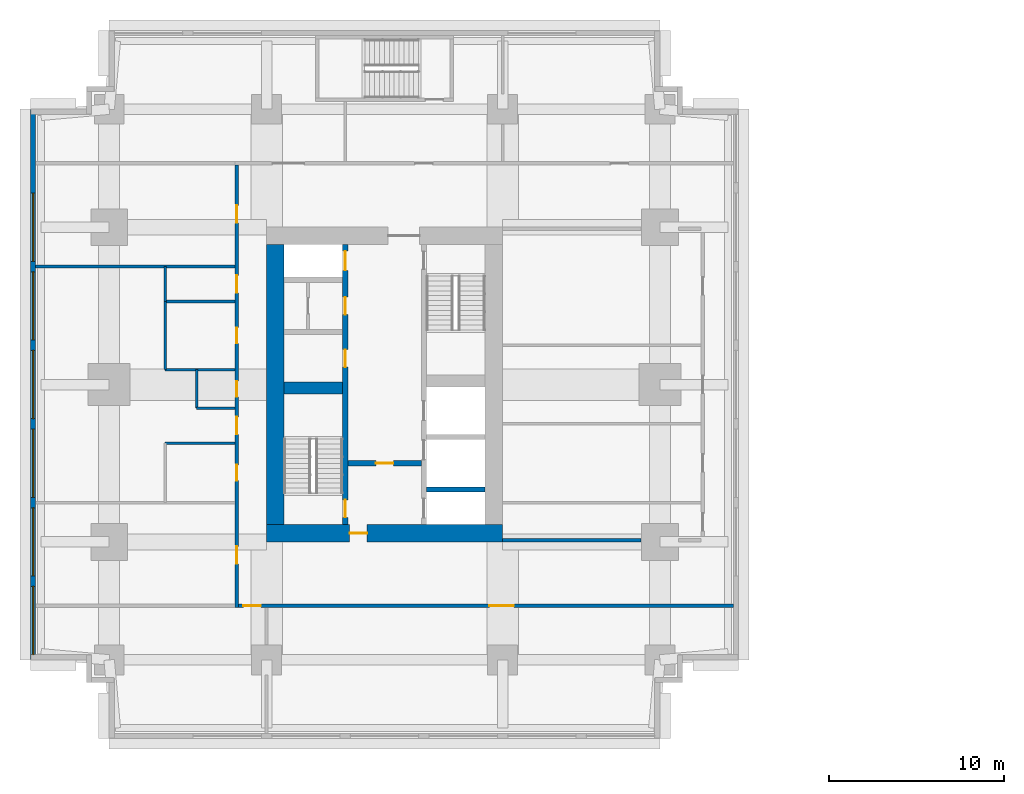
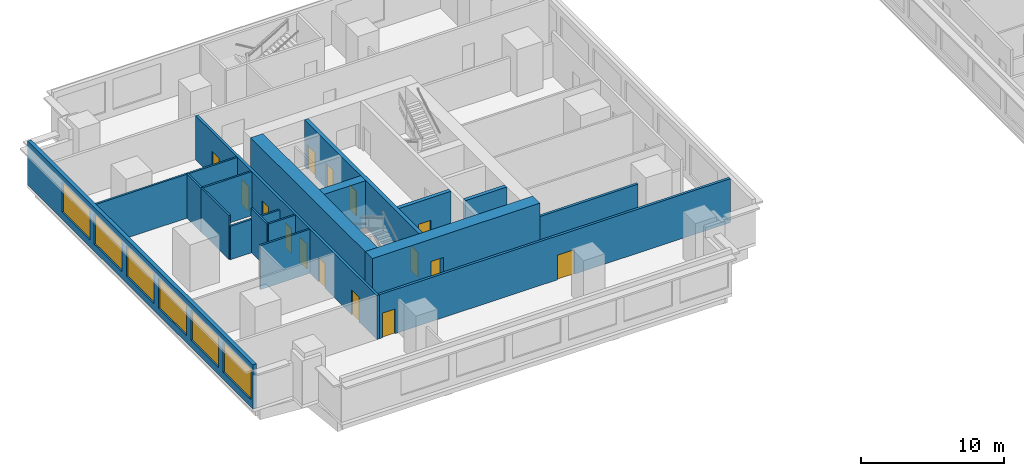
# One storey, part 3 of 10: 18 walls, 15 doors, 6 windows, 21 openings.
"""IFC4 building model written with IfcOpenShell, lengths in metres."""

from ifc_helpers import new_model, si_unit, direction, frame, frame_2d, origin, place, context, subcontext, project, spatial, rectangle, extrude, material, layer, layer_set, type_object, element, fill, save


model = new_model("IFC4")

# Units and contexts
model_context = context("Model", 3, precision=1e-05, world=origin(), true_north=direction((0.0, 1.0)))
body_context = subcontext(model_context, "Body", "Model", "MODEL_VIEW")
ifc_project = project(units=[si_unit("LENGTHUNIT", "METRE"), si_unit("AREAUNIT", "SQUARE_METRE"), si_unit("VOLUMEUNIT", "CUBIC_METRE"), si_unit("PLANEANGLEUNIT", "RADIAN"), si_unit("MASSUNIT", "GRAM", prefix="KILO")], contexts=[model_context])

# Site, building, storey
site_placement = place(None, origin())
site = spatial("IfcSite", under=ifc_project, at=site_placement, CompositionType="ELEMENT")
building_placement = place(site_placement, origin())
building = spatial("IfcBuilding", under=site, at=building_placement, Name="Namib Vertical Campus", CompositionType="ELEMENT")
storey_placement = place(building_placement, frame((0.0, 0.0, 153.0)))
storey = spatial("IfcBuildingStorey", under=building, at=storey_placement, Name="L36", CompositionType="ELEMENT", Elevation=153.0)

# Wall, openings, doors
ifc_material_1 = material(Name="Concrete C60/75", Category="concrete")
ifc_layer_1 = layer(ifc_material_1, 0.300048828125)
ifc_layer_set_1 = layer_set([ifc_layer_1], Name="Concrete C60/75")
wall_type_1 = type_object("IfcWallType", Name="Core inner wall 300", PredefinedType="SHEAR", material=ifc_layer_set_1)
wall_1_placement = place(storey_placement, frame((18.0, 12.25, 0.0), z_axis=(0.0, 0.0, 1.0), x_axis=(0.0, 1.0, 0.0)))
wall_1 = element("IfcWall", 1, at=wall_1_placement, inside=storey, type_object=wall_type_1, Name="Core inner wall A L36 W1", PredefinedType="SHEAR", context=body_context, shape_type="SweptSolid", body=[
    extrude(rectangle(XDim=16.0, YDim=0.300048828125, at=frame_2d((8.0, 0.0))), origin(), (0.0, 0.0, 1.0), 4.0),
])
opening_1_placement = place(wall_1_placement, frame((0.39990234375, 0.0, 0.0)))
opening_1 = element("IfcOpeningElement", 2, at=opening_1_placement, cuts=wall_1, Name="Opening FD1", PredefinedType="OPENING", context=body_context, shape_type="SweptSolid", body=[
    extrude(rectangle(XDim=1.0, YDim=2.10009765625, at=frame_2d((0.5, 1.050048828125))), frame((0.0, 0.159912109375, 0.0), z_axis=(0.0, -1.0, 0.0), x_axis=(1.0, 0.0, 0.0)), (0.0, 0.0, 1.0), 0.320068359375),
])
opening_2_placement = place(wall_1_placement, frame((14.52490234375, 0.0, 0.0)))
opening_2 = element("IfcOpeningElement", 3, at=opening_2_placement, cuts=wall_1, Name="Opening LD1", PredefinedType="OPENING", context=body_context, shape_type="SweptSolid", body=[
    extrude(rectangle(XDim=1.10009765625, YDim=2.10009765625, at=frame_2d((0.550048828125, 1.050048828125))), frame((0.0, 0.159912109375, 0.0), z_axis=(0.0, -1.0, 0.0), x_axis=(1.0, 0.0, 0.0)), (0.0, 0.0, 1.0), 0.320068359375),
])
opening_3_placement = place(wall_1_placement, frame((9.0, 0.0, 0.0)))
opening_3 = element("IfcOpeningElement", 4, at=opening_3_placement, cuts=wall_1, Name="Opening D1", PredefinedType="OPENING", context=body_context, shape_type="SweptSolid", body=[
    extrude(rectangle(XDim=1.0, YDim=2.10009765625, at=frame_2d((0.5, 1.050048828125))), frame((0.0, 0.159912109375, 0.0), z_axis=(0.0, -1.0, 0.0), x_axis=(1.0, 0.0, 0.0)), (0.0, 0.0, 1.0), 0.320068359375),
])
opening_4_placement = place(wall_1_placement, frame((12.0, 0.0, 0.0)))
opening_4 = element("IfcOpeningElement", 5, at=opening_4_placement, cuts=wall_1, Name="Opening D1", PredefinedType="OPENING", context=body_context, shape_type="SweptSolid", body=[
    extrude(rectangle(XDim=1.0, YDim=2.10009765625, at=frame_2d((0.5, 1.050048828125))), frame((0.0, 0.159912109375, 0.0), z_axis=(0.0, -1.0, 0.0), x_axis=(1.0, 0.0, 0.0)), (0.0, 0.0, 1.0), 0.320068359375),
])
ifc_material_2 = material(Name="Timber door leaf", Category="wood")
door_type_1 = type_object("IfcDoorType", Name="Door single 1000x2100", OperationType="SINGLE_SWING_LEFT", PredefinedType="DOOR", material=ifc_material_2)
door_1_placement = place(opening_3_placement, origin())
door_1 = element("IfcDoor", 6, at=door_1_placement, inside=storey, type_object=door_type_1, Name="Door D1 Comms room A L36 P1", OperationType="SINGLE_SWING_LEFT", OverallHeight=2.10009765625, OverallWidth=1.0, PredefinedType="DOOR", context=body_context, shape_type="SweptSolid", body=[
    extrude(rectangle(XDim=1.0, YDim=2.10009765625, at=frame_2d((0.5, 1.050048828125))), frame((0.0, 0.02490234375, 0.0), z_axis=(0.0, -1.0, 0.0), x_axis=(1.0, 0.0, 0.0)), (0.0, 0.0, 1.0), 0.050048828125),
])
fill(opening_3, door_1)
door_2_placement = place(opening_4_placement, origin())
door_2 = element("IfcDoor", 7, at=door_2_placement, inside=storey, type_object=door_type_1, Name="Door D1 Store A L36 P2", OperationType="SINGLE_SWING_LEFT", OverallHeight=2.10009765625, OverallWidth=1.0, PredefinedType="DOOR", context=body_context, shape_type="SweptSolid", body=[
    extrude(rectangle(XDim=1.0, YDim=2.10009765625, at=frame_2d((0.5, 1.050048828125))), frame((0.0, 0.02490234375, 0.0), z_axis=(0.0, -1.0, 0.0), x_axis=(1.0, 0.0, 0.0)), (0.0, 0.0, 1.0), 0.050048828125),
])
fill(opening_4, door_2)
ifc_material_3 = material(Name="Steel fire door", Category="steel")
door_type_2 = type_object("IfcDoorType", Name="Fire door 1000x2100", OperationType="SINGLE_SWING_RIGHT", PredefinedType="DOOR", material=ifc_material_3)
door_3_placement = place(opening_1_placement, origin())
door_3 = element("IfcDoor", 8, at=door_3_placement, inside=storey, type_object=door_type_2, Name="Stair door FD1 A L36 S1", OperationType="SINGLE_SWING_LEFT", OverallHeight=2.10009765625, OverallWidth=1.0, PredefinedType="DOOR", context=body_context, shape_type="SweptSolid", body=[
    extrude(rectangle(XDim=1.0, YDim=2.10009765625, at=frame_2d((0.5, 1.050048828125))), frame((0.0, 0.02490234375, 0.0), z_axis=(0.0, -1.0, 0.0), x_axis=(1.0, 0.0, 0.0)), (0.0, 0.0, 1.0), 0.050048828125),
])
fill(opening_1, door_3)
ifc_material_4 = material(Name="Stainless steel lift door", Category="steel")
door_type_3 = type_object("IfcDoorType", Name="Lift landing door 1100x2100", OperationType="DOUBLE_DOOR_SLIDING", PredefinedType="DOOR", material=ifc_material_4)
door_4_placement = place(opening_2_placement, origin())
door_4 = element("IfcDoor", 9, at=door_4_placement, inside=storey, type_object=door_type_3, Name="Lift landing door LD1 A-P3 L36", OperationType="DOUBLE_DOOR_SLIDING", OverallHeight=2.10009765625, OverallWidth=1.10009765625, PredefinedType="DOOR", context=body_context, shape_type="SweptSolid", body=[
    extrude(rectangle(XDim=1.10009765625, YDim=2.10009765625, at=frame_2d((0.550048828125, 1.050048828125))), frame((0.0, 0.02490234375, 0.0), z_axis=(0.0, -1.0, 0.0), x_axis=(1.0, 0.0, 0.0)), (0.0, 0.0, 1.0), 0.050048828125),
])
fill(opening_2, door_4)

# Wall, opening, door
wall_2_placement = place(storey_placement, frame((18.14990234375, 15.75, 0.0), z_axis=(0.0, 0.0, 1.0), x_axis=(1.0, 0.0, 0.0)))
wall_2 = element("IfcWall", 10, at=wall_2_placement, inside=storey, type_object=wall_type_1, Name="Core inner wall A L36 W4", PredefinedType="SHEAR", context=body_context, shape_type="SweptSolid", body=[
    extrude(rectangle(XDim=4.2001953125, YDim=0.300048828125, at=frame_2d((2.10009765625, 0.0))), origin(), (0.0, 0.0, 1.0), 4.0),
])
opening_5_placement = place(wall_2_placement, frame((1.60009765625, 0.0, 0.0)))
opening_5 = element("IfcOpeningElement", 11, at=opening_5_placement, cuts=wall_2, Name="Opening FD5", PredefinedType="OPENING", context=body_context, shape_type="SweptSolid", body=[
    extrude(rectangle(XDim=1.0, YDim=2.10009765625, at=frame_2d((0.5, 1.050048828125))), frame((0.0, 0.159912109375, 0.0), z_axis=(0.0, -1.0, 0.0), x_axis=(1.0, 0.0, 0.0)), (0.0, 0.0, 1.0), 0.320068359375),
])
ifc_material_5 = material(Name="Steel fire door", Category="steel")
door_type_4 = type_object("IfcDoorType", Name="Fire door 1000x2100 120 min", OperationType="SINGLE_SWING_RIGHT", PredefinedType="DOOR", material=ifc_material_5)
door_5_placement = place(opening_5_placement, frame((1.0, 0.0, 0.0), z_axis=(0.0, 0.0, 1.0), x_axis=(-1.0, 0.0, 0.0)))
door_5 = element("IfcDoor", 12, at=door_5_placement, inside=storey, type_object=door_type_4, Name="Lobby door FD5 A L36", OperationType="SINGLE_SWING_RIGHT", OverallHeight=2.10009765625, OverallWidth=1.0, PredefinedType="DOOR", context=body_context, shape_type="SweptSolid", body=[
    extrude(rectangle(XDim=1.0, YDim=2.10009765625, at=frame_2d((0.5, 1.050048828125))), frame((0.0, 0.02490234375, 0.0), z_axis=(0.0, -1.0, 0.0), x_axis=(1.0, 0.0, 0.0)), (0.0, 0.0, 1.0), 0.050048828125),
])
fill(opening_5, door_5)

# Walls
wall_3_placement = place(storey_placement, frame((22.64990234375, 14.25, 0.0), z_axis=(0.0, 0.0, 1.0), x_axis=(1.0, 0.0, 0.0)))
element("IfcWall", 13, at=wall_3_placement, inside=storey, type_object=wall_type_1, Name="Core inner wall A L36 W5", PredefinedType="SHEAR", context=body_context, shape_type="SweptSolid", body=[
    extrude(rectangle(XDim=3.35009765625, YDim=0.300048828125, at=frame_2d((1.675048828125, 0.0))), origin(), (0.0, 0.0, 1.0), 4.0),
])
ifc_material_6 = material(Name="Concrete C60/75", Category="concrete")
ifc_layer_2 = layer(ifc_material_6, 0.699951171875)
ifc_layer_set_2 = layer_set([ifc_layer_2], Name="Concrete C60/75")
wall_type_2 = type_object("IfcWallType", Name="Core shear wall 700", PredefinedType="SHEAR", material=ifc_layer_set_2)
wall_4_placement = place(storey_placement, frame((14.5, 20.050048828125, 0.0), z_axis=(0.0, 0.0, 1.0), x_axis=(1.0, 0.0, 0.0)))
element("IfcWall", 14, at=wall_4_placement, inside=storey, type_object=wall_type_2, Name="Core shear wall A L36 W3", PredefinedType="SHEAR", context=body_context, shape_type="SweptSolid", body=[
    extrude(rectangle(XDim=3.35009765625, YDim=0.699951171875, at=frame_2d((1.675048828125, 0.0))), origin(), (0.0, 0.0, 1.0), 4.0),
])

# Wall, opening, door
ifc_material_7 = material(Name="Concrete C60/75", Category="concrete")
ifc_layer_3 = layer(ifc_material_7, 1.0)
ifc_layer_set_3 = layer_set([ifc_layer_3], Name="Concrete C60/75")
wall_type_3 = type_object("IfcWallType", Name="Core wall 1000", PredefinedType="SHEAR", material=ifc_layer_set_3)
wall_5_placement = place(storey_placement, frame((13.5, 11.75, 0.0), z_axis=(0.0, 0.0, 1.0), x_axis=(1.0, 0.0, 0.0)))
wall_5 = element("IfcWall", 15, at=wall_5_placement, inside=storey, type_object=wall_type_3, Name="Core wall A L36 1", PredefinedType="SHEAR", context=body_context, shape_type="SweptSolid", body=[
    extrude(rectangle(XDim=13.5, YDim=1.0, at=frame_2d((6.75, 0.0))), origin(), (0.0, 0.0, 1.0), 4.0),
])
opening_6_placement = place(wall_5_placement, frame((4.75, 0.0, 0.0)))
opening_6 = element("IfcOpeningElement", 16, at=opening_6_placement, cuts=wall_5, Name="Opening FD5", PredefinedType="OPENING", context=body_context, shape_type="SweptSolid", body=[
    extrude(rectangle(XDim=1.0, YDim=2.10009765625, at=frame_2d((0.5, 1.050048828125))), frame((0.0, 0.510009765625, 0.0), z_axis=(0.0, -1.0, 0.0), x_axis=(1.0, 0.0, 0.0)), (0.0, 0.0, 1.0), 1.02001953125),
])
door_6_placement = place(opening_6_placement, origin())
door_6 = element("IfcDoor", 17, at=door_6_placement, inside=storey, type_object=door_type_4, Name="Firefighting lobby door FD5 A L36", OperationType="SINGLE_SWING_LEFT", OverallHeight=2.10009765625, OverallWidth=1.0, PredefinedType="DOOR", context=body_context, shape_type="SweptSolid", body=[
    extrude(rectangle(XDim=1.0, YDim=2.10009765625, at=frame_2d((0.5, 1.050048828125))), frame((0.0, 0.02490234375, 0.0), z_axis=(0.0, -1.0, 0.0), x_axis=(1.0, 0.0, 0.0)), (0.0, 0.0, 1.0), 0.050048828125),
])
fill(opening_6, door_6)

# Wall
wall_6_placement = place(storey_placement, frame((14.0, 28.25, 0.0), z_axis=(0.0, 0.0, 1.0), x_axis=(0.0, -1.0, 0.0)))
element("IfcWall", 18, at=wall_6_placement, inside=storey, type_object=wall_type_3, Name="Core wall A L36 4", PredefinedType="SHEAR", context=body_context, shape_type="SweptSolid", body=[
    extrude(rectangle(XDim=16.0, YDim=1.0, at=frame_2d((8.0, 0.0))), origin(), (0.0, 0.0, 1.0), 4.0),
])

# Wall, openings, doors
ifc_material_8 = material(Name="Concrete masonry", Category="masonry")
ifc_layer_4 = layer(ifc_material_8, 0.199951171875)
ifc_layer_set_4 = layer_set([ifc_layer_4], Name="Corridor wall 200")
wall_type_4 = type_object("IfcWallType", Name="Corridor wall 200", PredefinedType="SOLIDWALL", material=ifc_layer_set_4)
wall_7_placement = place(storey_placement, frame((11.89990234375, 7.60009765625, 0.0), z_axis=(0.0, 0.0, 1.0), x_axis=(1.0, 0.0, 0.0)))
wall_7 = element("IfcWall", 19, at=wall_7_placement, inside=storey, type_object=wall_type_4, Name="Corridor wall A L36 CS", PredefinedType="SOLIDWALL", context=body_context, shape_type="SweptSolid", body=[
    extrude(rectangle(XDim=28.300048828125, YDim=0.199951171875, at=frame_2d((14.14990234375, 0.0))), origin(), (0.0, 0.0, 1.0), 3.75),
])
opening_7_placement = place(wall_7_placement, frame((0.27490234375, 0.0, 0.0)))
opening_7 = element("IfcOpeningElement", 20, at=opening_7_placement, cuts=wall_7, Name="Opening CD1", PredefinedType="OPENING", context=body_context, shape_type="SweptSolid", body=[
    extrude(rectangle(XDim=1.0, YDim=2.10009765625, at=frame_2d((0.5, 1.050048828125))), frame((0.0, 0.10986328125, 0.0), z_axis=(0.0, -1.0, 0.0), x_axis=(1.0, 0.0, 0.0)), (0.0, 0.0, 1.0), 0.219970703125),
])
opening_8_placement = place(wall_7_placement, frame((14.35009765625, 0.0, 0.0)))
opening_8 = element("IfcOpeningElement", 21, at=opening_8_placement, cuts=wall_7, Name="Opening LB1", PredefinedType="OPENING", context=body_context, shape_type="SweptSolid", body=[
    extrude(rectangle(XDim=1.39990234375, YDim=2.10009765625, at=frame_2d((0.699951171875, 1.050048828125))), frame((0.0, 0.10986328125, 0.0), z_axis=(0.0, -1.0, 0.0), x_axis=(1.0, 0.0, 0.0)), (0.0, 0.0, 1.0), 0.219970703125),
])
ifc_material_9 = material(Name="Timber fire door leaf", Category="wood")
door_type_5 = type_object("IfcDoorType", Name="Corridor door 1000x2100 20 min", OperationType="SINGLE_SWING_LEFT", PredefinedType="DOOR", material=ifc_material_9)
door_7_placement = place(opening_7_placement, frame((1.0, 0.0, 0.0), z_axis=(0.0, 0.0, 1.0), x_axis=(-1.0, 0.0, 0.0)))
door_7 = element("IfcDoor", 22, at=door_7_placement, inside=storey, type_object=door_type_5, Name="Door CD1 A36-01", OperationType="SINGLE_SWING_LEFT", OverallHeight=2.10009765625, OverallWidth=1.0, PredefinedType="DOOR", context=body_context, shape_type="SweptSolid", body=[
    extrude(rectangle(XDim=1.0, YDim=2.10009765625, at=frame_2d((0.5, 1.050048828125))), frame((0.0, 0.02490234375, 0.0), z_axis=(0.0, -1.0, 0.0), x_axis=(1.0, 0.0, 0.0)), (0.0, 0.0, 1.0), 0.050048828125),
])
fill(opening_7, door_7)
ifc_material_10 = material(Name="Timber fire door leaf", Category="wood")
door_type_6 = type_object("IfcDoorType", Name="Laboratory door 1400x2100 leaf and a half", OperationType="DOUBLE_DOOR_SINGLE_SWING", PredefinedType="DOOR", material=ifc_material_10)
door_8_placement = place(opening_8_placement, frame((1.39990234375, 0.0, 0.0), z_axis=(0.0, 0.0, 1.0), x_axis=(-1.0, 0.0, 0.0)))
door_8 = element("IfcDoor", 23, at=door_8_placement, inside=storey, type_object=door_type_6, Name="Door LB1 A36-02", OperationType="DOUBLE_DOOR_SINGLE_SWING", OverallHeight=2.10009765625, OverallWidth=1.39990234375, PredefinedType="DOOR", context=body_context, shape_type="SweptSolid", body=[
    extrude(rectangle(XDim=1.39990234375, YDim=2.10009765625, at=frame_2d((0.699951171875, 1.050048828125))), frame((0.0, 0.02490234375, 0.0), z_axis=(0.0, -1.0, 0.0), x_axis=(1.0, 0.0, 0.0)), (0.0, 0.0, 1.0), 0.050048828125),
])
fill(opening_8, door_8)

wall_8_placement = place(storey_placement, frame((11.800048828125, 32.800048828125, 0.0), z_axis=(0.0, 0.0, 1.0), x_axis=(0.0, -1.0, 0.0)))
wall_8 = element("IfcWall", 24, at=wall_8_placement, inside=storey, type_object=wall_type_4, Name="Corridor wall A L36 CW", PredefinedType="SOLIDWALL", context=body_context, shape_type="SweptSolid", body=[
    extrude(rectangle(XDim=25.300048828125, YDim=0.199951171875, at=frame_2d((12.64990234375, 0.0))), origin(), (0.0, 0.0, 1.0), 3.75),
])
opening_9_placement = place(wall_8_placement, frame((21.800048828125, 0.0, 0.0)))
opening_9 = element("IfcOpeningElement", 25, at=opening_9_placement, cuts=wall_8, Name="Opening CD1", PredefinedType="OPENING", context=body_context, shape_type="SweptSolid", body=[
    extrude(rectangle(XDim=1.0, YDim=2.10009765625, at=frame_2d((0.5, 1.050048828125))), frame((0.0, 0.10986328125, 0.0), z_axis=(0.0, -1.0, 0.0), x_axis=(1.0, 0.0, 0.0)), (0.0, 0.0, 1.0), 0.219970703125),
])
opening_10_placement = place(wall_8_placement, frame((17.14990234375, 0.0, 0.0)))
opening_10 = element("IfcOpeningElement", 26, at=opening_10_placement, cuts=wall_8, Name="Opening CD3", PredefinedType="OPENING", context=body_context, shape_type="SweptSolid", body=[
    extrude(rectangle(XDim=0.89990234375, YDim=2.10009765625, at=frame_2d((0.449951171875, 1.050048828125))), frame((0.0, 0.10986328125, 0.0), z_axis=(0.0, -1.0, 0.0), x_axis=(1.0, 0.0, 0.0)), (0.0, 0.0, 1.0), 0.219970703125),
])
opening_11_placement = place(wall_8_placement, frame((12.35009765625, 0.0, 0.0)))
opening_11 = element("IfcOpeningElement", 27, at=opening_11_placement, cuts=wall_8, Name="Opening CD3", PredefinedType="OPENING", context=body_context, shape_type="SweptSolid", body=[
    extrude(rectangle(XDim=0.89990234375, YDim=2.10009765625, at=frame_2d((0.449951171875, 1.050048828125))), frame((0.0, 0.10986328125, 0.0), z_axis=(0.0, -1.0, 0.0), x_axis=(1.0, 0.0, 0.0)), (0.0, 0.0, 1.0), 0.219970703125),
])
opening_12_placement = place(wall_8_placement, frame((9.300048828125, 0.0, 0.0)))
opening_12 = element("IfcOpeningElement", 28, at=opening_12_placement, cuts=wall_8, Name="Opening CD3", PredefinedType="OPENING", context=body_context, shape_type="SweptSolid", body=[
    extrude(rectangle(XDim=0.89990234375, YDim=2.10009765625, at=frame_2d((0.449951171875, 1.050048828125))), frame((0.0, 0.10986328125, 0.0), z_axis=(0.0, -1.0, 0.0), x_axis=(1.0, 0.0, 0.0)), (0.0, 0.0, 1.0), 0.219970703125),
])
opening_13_placement = place(wall_8_placement, frame((6.300048828125, 0.0, 0.0)))
opening_13 = element("IfcOpeningElement", 29, at=opening_13_placement, cuts=wall_8, Name="Opening CD1", PredefinedType="OPENING", context=body_context, shape_type="SweptSolid", body=[
    extrude(rectangle(XDim=1.0, YDim=2.10009765625, at=frame_2d((0.5, 1.050048828125))), frame((0.0, 0.10986328125, 0.0), z_axis=(0.0, -1.0, 0.0), x_axis=(1.0, 0.0, 0.0)), (0.0, 0.0, 1.0), 0.219970703125),
])
opening_14_placement = place(wall_8_placement, frame((14.39990234375, 0.0, 0.0)))
opening_14 = element("IfcOpeningElement", 30, at=opening_14_placement, cuts=wall_8, Name="Opening CD1", PredefinedType="OPENING", context=body_context, shape_type="SweptSolid", body=[
    extrude(rectangle(XDim=1.0, YDim=2.10009765625, at=frame_2d((0.5, 1.050048828125))), frame((0.0, 0.10986328125, 0.0), z_axis=(0.0, -1.0, 0.0), x_axis=(1.0, 0.0, 0.0)), (0.0, 0.0, 1.0), 0.219970703125),
])
opening_15_placement = place(wall_8_placement, frame((2.300048828125, 0.0, 0.0)))
opening_15 = element("IfcOpeningElement", 31, at=opening_15_placement, cuts=wall_8, Name="Opening CD1", PredefinedType="OPENING", context=body_context, shape_type="SweptSolid", body=[
    extrude(rectangle(XDim=1.0, YDim=2.10009765625, at=frame_2d((0.5, 1.050048828125))), frame((0.0, 0.10986328125, 0.0), z_axis=(0.0, -1.0, 0.0), x_axis=(1.0, 0.0, 0.0)), (0.0, 0.0, 1.0), 0.219970703125),
])
door_9_placement = place(opening_9_placement, frame((1.0, 0.0, 0.0), z_axis=(0.0, 0.0, 1.0), x_axis=(-1.0, 0.0, 0.0)))
door_9 = element("IfcDoor", 32, at=door_9_placement, inside=storey, type_object=door_type_5, Name="Door CD1 A36-10", OperationType="SINGLE_SWING_RIGHT", OverallHeight=2.10009765625, OverallWidth=1.0, PredefinedType="DOOR", context=body_context, shape_type="SweptSolid", body=[
    extrude(rectangle(XDim=1.0, YDim=2.10009765625, at=frame_2d((0.5, 1.050048828125))), frame((0.0, 0.02490234375, 0.0), z_axis=(0.0, -1.0, 0.0), x_axis=(1.0, 0.0, 0.0)), (0.0, 0.0, 1.0), 0.050048828125),
])
fill(opening_9, door_9)
door_10_placement = place(opening_13_placement, frame((1.0, 0.0, 0.0), z_axis=(0.0, 0.0, 1.0), x_axis=(-1.0, 0.0, 0.0)))
door_10 = element("IfcDoor", 33, at=door_10_placement, inside=storey, type_object=door_type_5, Name="Door CD1 A36-14", OperationType="SINGLE_SWING_RIGHT", OverallHeight=2.10009765625, OverallWidth=1.0, PredefinedType="DOOR", context=body_context, shape_type="SweptSolid", body=[
    extrude(rectangle(XDim=1.0, YDim=2.10009765625, at=frame_2d((0.5, 1.050048828125))), frame((0.0, 0.02490234375, 0.0), z_axis=(0.0, -1.0, 0.0), x_axis=(1.0, 0.0, 0.0)), (0.0, 0.0, 1.0), 0.050048828125),
])
fill(opening_13, door_10)
door_11_placement = place(opening_14_placement, frame((1.0, 0.0, 0.0), z_axis=(0.0, 0.0, 1.0), x_axis=(-1.0, 0.0, 0.0)))
door_11 = element("IfcDoor", 34, at=door_11_placement, inside=storey, type_object=door_type_5, Name="Door CD1 A36-15", OperationType="SINGLE_SWING_RIGHT", OverallHeight=2.10009765625, OverallWidth=1.0, PredefinedType="DOOR", context=body_context, shape_type="SweptSolid", body=[
    extrude(rectangle(XDim=1.0, YDim=2.10009765625, at=frame_2d((0.5, 1.050048828125))), frame((0.0, 0.02490234375, 0.0), z_axis=(0.0, -1.0, 0.0), x_axis=(1.0, 0.0, 0.0)), (0.0, 0.0, 1.0), 0.050048828125),
])
fill(opening_14, door_11)
door_12_placement = place(opening_15_placement, frame((1.0, 0.0, 0.0), z_axis=(0.0, 0.0, 1.0), x_axis=(-1.0, 0.0, 0.0)))
door_12 = element("IfcDoor", 35, at=door_12_placement, inside=storey, type_object=door_type_5, Name="Door CD1 A36-16", OperationType="SINGLE_SWING_RIGHT", OverallHeight=2.10009765625, OverallWidth=1.0, PredefinedType="DOOR", context=body_context, shape_type="SweptSolid", body=[
    extrude(rectangle(XDim=1.0, YDim=2.10009765625, at=frame_2d((0.5, 1.050048828125))), frame((0.0, 0.02490234375, 0.0), z_axis=(0.0, -1.0, 0.0), x_axis=(1.0, 0.0, 0.0)), (0.0, 0.0, 1.0), 0.050048828125),
])
fill(opening_15, door_12)
ifc_material_11 = material(Name="Timber fire door leaf", Category="wood")
door_type_7 = type_object("IfcDoorType", Name="Corridor toilet door 900x2100 20 min", OperationType="SINGLE_SWING_LEFT", PredefinedType="DOOR", material=ifc_material_11)
door_13_placement = place(opening_10_placement, frame((0.89990234375, 0.0, 0.0), z_axis=(0.0, 0.0, 1.0), x_axis=(-1.0, 0.0, 0.0)))
door_13 = element("IfcDoor", 36, at=door_13_placement, inside=storey, type_object=door_type_7, Name="Door CD3 A36-11", OperationType="SINGLE_SWING_RIGHT", OverallHeight=2.10009765625, OverallWidth=0.89990234375, PredefinedType="DOOR", context=body_context, shape_type="SweptSolid", body=[
    extrude(rectangle(XDim=0.89990234375, YDim=2.10009765625, at=frame_2d((0.449951171875, 1.050048828125))), frame((0.0, 0.02490234375, 0.0), z_axis=(0.0, -1.0, 0.0), x_axis=(1.0, 0.0, 0.0)), (0.0, 0.0, 1.0), 0.050048828125),
])
fill(opening_10, door_13)
door_14_placement = place(opening_11_placement, frame((0.89990234375, 0.0, 0.0), z_axis=(0.0, 0.0, 1.0), x_axis=(-1.0, 0.0, 0.0)))
door_14 = element("IfcDoor", 37, at=door_14_placement, inside=storey, type_object=door_type_7, Name="Door CD3 A36-12", OperationType="SINGLE_SWING_RIGHT", OverallHeight=2.10009765625, OverallWidth=0.89990234375, PredefinedType="DOOR", context=body_context, shape_type="SweptSolid", body=[
    extrude(rectangle(XDim=0.89990234375, YDim=2.10009765625, at=frame_2d((0.449951171875, 1.050048828125))), frame((0.0, 0.02490234375, 0.0), z_axis=(0.0, -1.0, 0.0), x_axis=(1.0, 0.0, 0.0)), (0.0, 0.0, 1.0), 0.050048828125),
])
fill(opening_11, door_14)
door_15_placement = place(opening_12_placement, frame((0.89990234375, 0.0, 0.0), z_axis=(0.0, 0.0, 1.0), x_axis=(-1.0, 0.0, 0.0)))
door_15 = element("IfcDoor", 38, at=door_15_placement, inside=storey, type_object=door_type_7, Name="Door CD3 A36-13", OperationType="SINGLE_SWING_RIGHT", OverallHeight=2.10009765625, OverallWidth=0.89990234375, PredefinedType="DOOR", context=body_context, shape_type="SweptSolid", body=[
    extrude(rectangle(XDim=0.89990234375, YDim=2.10009765625, at=frame_2d((0.449951171875, 1.050048828125))), frame((0.0, 0.02490234375, 0.0), z_axis=(0.0, -1.0, 0.0), x_axis=(1.0, 0.0, 0.0)), (0.0, 0.0, 1.0), 0.050048828125),
])
fill(opening_12, door_15)

# Wall
wall_9_placement = place(storey_placement, frame((27.0, 11.35009765625, 0.0), z_axis=(0.0, 0.0, 1.0), x_axis=(1.0, 0.0, 0.0)))
element("IfcWall", 39, at=wall_9_placement, inside=storey, type_object=wall_type_4, Name="Corridor wall A L36 GS", PredefinedType="SOLIDWALL", context=body_context, shape_type="SweptSolid", body=[
    extrude(rectangle(XDim=7.929931640625, YDim=0.199951171875, at=frame_2d((3.96484375, 0.0))), origin(), (0.0, 0.0, 1.0), 2.85009765625),
])

# Wall, openings, windows
ifc_material_12 = material(Name="Concrete C40/50", Category="concrete")
ifc_layer_5 = layer(ifc_material_12, 0.300048828125)
ifc_layer_set_5 = layer_set([ifc_layer_5], Name="Concrete C40/50")
wall_type_5 = type_object("IfcWallType", Name="External wall 300 board-marked concrete", PredefinedType="STANDARD", material=ifc_layer_set_5)
wall_10_placement = place(storey_placement, frame((0.14990234375, 35.97998046875, 0.0), z_axis=(0.0, 0.0, 1.0), x_axis=(0.0, -1.0, 0.0)))
wall_10 = element("IfcWall", 40, at=wall_10_placement, inside=storey, type_object=wall_type_5, Name="External wall L36 F16", PredefinedType="STANDARD", context=body_context, shape_type="SweptSolid", body=[
    extrude(rectangle(XDim=31.4599609375, YDim=0.300048828125, at=frame_2d((15.72998046875, 0.0))), origin(), (0.0, 0.0, 1.0), 3.75),
])
opening_16_placement = place(wall_10_placement, frame((27.280029296875, 0.0, 0.60009765625)))
opening_16 = element("IfcOpeningElement", 41, at=opening_16_placement, cuts=wall_10, Name="Opening W2", PredefinedType="OPENING", context=body_context, shape_type="SweptSolid", body=[
    extrude(rectangle(XDim=3.89990234375, YDim=2.60009765625, at=frame_2d((1.949951171875, 1.300048828125))), frame((0.0, 0.159912109375, 0.0), z_axis=(0.0, -1.0, 0.0), x_axis=(1.0, 0.0, 0.0)), (0.0, 0.0, 1.0), 0.320068359375),
])
opening_17_placement = place(wall_10_placement, frame((22.780029296875, 0.0, 0.60009765625)))
opening_17 = element("IfcOpeningElement", 42, at=opening_17_placement, cuts=wall_10, Name="Opening W2", PredefinedType="OPENING", context=body_context, shape_type="SweptSolid", body=[
    extrude(rectangle(XDim=3.89990234375, YDim=2.60009765625, at=frame_2d((1.949951171875, 1.300048828125))), frame((0.0, 0.159912109375, 0.0), z_axis=(0.0, -1.0, 0.0), x_axis=(1.0, 0.0, 0.0)), (0.0, 0.0, 1.0), 0.320068359375),
])
opening_18_placement = place(wall_10_placement, frame((18.280029296875, 0.0, 0.60009765625)))
opening_18 = element("IfcOpeningElement", 43, at=opening_18_placement, cuts=wall_10, Name="Opening W2", PredefinedType="OPENING", context=body_context, shape_type="SweptSolid", body=[
    extrude(rectangle(XDim=3.89990234375, YDim=2.60009765625, at=frame_2d((1.949951171875, 1.300048828125))), frame((0.0, 0.159912109375, 0.0), z_axis=(0.0, -1.0, 0.0), x_axis=(1.0, 0.0, 0.0)), (0.0, 0.0, 1.0), 0.320068359375),
])
opening_19_placement = place(wall_10_placement, frame((13.780029296875, 0.0, 0.60009765625)))
opening_19 = element("IfcOpeningElement", 44, at=opening_19_placement, cuts=wall_10, Name="Opening W2", PredefinedType="OPENING", context=body_context, shape_type="SweptSolid", body=[
    extrude(rectangle(XDim=3.89990234375, YDim=2.60009765625, at=frame_2d((1.949951171875, 1.300048828125))), frame((0.0, 0.159912109375, 0.0), z_axis=(0.0, -1.0, 0.0), x_axis=(1.0, 0.0, 0.0)), (0.0, 0.0, 1.0), 0.320068359375),
])
opening_20_placement = place(wall_10_placement, frame((9.280029296875, 0.0, 0.60009765625)))
opening_20 = element("IfcOpeningElement", 45, at=opening_20_placement, cuts=wall_10, Name="Opening W2", PredefinedType="OPENING", context=body_context, shape_type="SweptSolid", body=[
    extrude(rectangle(XDim=3.89990234375, YDim=2.60009765625, at=frame_2d((1.949951171875, 1.300048828125))), frame((0.0, 0.159912109375, 0.0), z_axis=(0.0, -1.0, 0.0), x_axis=(1.0, 0.0, 0.0)), (0.0, 0.0, 1.0), 0.320068359375),
])
opening_21_placement = place(wall_10_placement, frame((4.780029296875, 0.0, 0.60009765625)))
opening_21 = element("IfcOpeningElement", 46, at=opening_21_placement, cuts=wall_10, Name="Opening W2", PredefinedType="OPENING", context=body_context, shape_type="SweptSolid", body=[
    extrude(rectangle(XDim=3.89990234375, YDim=2.60009765625, at=frame_2d((1.949951171875, 1.300048828125))), frame((0.0, 0.159912109375, 0.0), z_axis=(0.0, -1.0, 0.0), x_axis=(1.0, 0.0, 0.0)), (0.0, 0.0, 1.0), 0.320068359375),
])
ifc_material_13 = material(Name="Dark tinted glass in black aluminium frame", Category="aluminium")
window_type = type_object("IfcWindowType", Name="Ribbon window 3900x2600", PartitioningType="SINGLE_PANEL", PredefinedType="WINDOW", material=ifc_material_13)
window_1_placement = place(opening_16_placement, origin())
window_1 = element("IfcWindow", 47, at=window_1_placement, inside=storey, type_object=window_type, Name="Window W2 L36 F16-1", OverallHeight=2.60009765625, OverallWidth=3.89990234375, PartitioningType="SINGLE_PANEL", PredefinedType="WINDOW", context=body_context, shape_type="SweptSolid", body=[
    extrude(rectangle(XDim=3.89990234375, YDim=2.60009765625, at=frame_2d((1.949951171875, 1.300048828125))), frame((0.0, 0.030029296875, 0.0), z_axis=(0.0, -1.0, 0.0), x_axis=(1.0, 0.0, 0.0)), (0.0, 0.0, 1.0), 0.06005859375),
])
fill(opening_16, window_1)
window_2_placement = place(opening_17_placement, origin())
window_2 = element("IfcWindow", 48, at=window_2_placement, inside=storey, type_object=window_type, Name="Window W2 L36 F16-2", OverallHeight=2.60009765625, OverallWidth=3.89990234375, PartitioningType="SINGLE_PANEL", PredefinedType="WINDOW", context=body_context, shape_type="SweptSolid", body=[
    extrude(rectangle(XDim=3.89990234375, YDim=2.60009765625, at=frame_2d((1.949951171875, 1.300048828125))), frame((0.0, 0.030029296875, 0.0), z_axis=(0.0, -1.0, 0.0), x_axis=(1.0, 0.0, 0.0)), (0.0, 0.0, 1.0), 0.06005859375),
])
fill(opening_17, window_2)
window_3_placement = place(opening_18_placement, origin())
window_3 = element("IfcWindow", 49, at=window_3_placement, inside=storey, type_object=window_type, Name="Window W2 L36 F16-3", OverallHeight=2.60009765625, OverallWidth=3.89990234375, PartitioningType="SINGLE_PANEL", PredefinedType="WINDOW", context=body_context, shape_type="SweptSolid", body=[
    extrude(rectangle(XDim=3.89990234375, YDim=2.60009765625, at=frame_2d((1.949951171875, 1.300048828125))), frame((0.0, 0.030029296875, 0.0), z_axis=(0.0, -1.0, 0.0), x_axis=(1.0, 0.0, 0.0)), (0.0, 0.0, 1.0), 0.06005859375),
])
fill(opening_18, window_3)
window_4_placement = place(opening_19_placement, origin())
window_4 = element("IfcWindow", 50, at=window_4_placement, inside=storey, type_object=window_type, Name="Window W2 L36 F16-4", OverallHeight=2.60009765625, OverallWidth=3.89990234375, PartitioningType="SINGLE_PANEL", PredefinedType="WINDOW", context=body_context, shape_type="SweptSolid", body=[
    extrude(rectangle(XDim=3.89990234375, YDim=2.60009765625, at=frame_2d((1.949951171875, 1.300048828125))), frame((0.0, 0.030029296875, 0.0), z_axis=(0.0, -1.0, 0.0), x_axis=(1.0, 0.0, 0.0)), (0.0, 0.0, 1.0), 0.06005859375),
])
fill(opening_19, window_4)
window_5_placement = place(opening_20_placement, origin())
window_5 = element("IfcWindow", 51, at=window_5_placement, inside=storey, type_object=window_type, Name="Window W2 L36 F16-5", OverallHeight=2.60009765625, OverallWidth=3.89990234375, PartitioningType="SINGLE_PANEL", PredefinedType="WINDOW", context=body_context, shape_type="SweptSolid", body=[
    extrude(rectangle(XDim=3.89990234375, YDim=2.60009765625, at=frame_2d((1.949951171875, 1.300048828125))), frame((0.0, 0.030029296875, 0.0), z_axis=(0.0, -1.0, 0.0), x_axis=(1.0, 0.0, 0.0)), (0.0, 0.0, 1.0), 0.06005859375),
])
fill(opening_20, window_5)
window_6_placement = place(opening_21_placement, origin())
window_6 = element("IfcWindow", 52, at=window_6_placement, inside=storey, type_object=window_type, Name="Window W2 L36 F16-6", OverallHeight=2.60009765625, OverallWidth=3.89990234375, PartitioningType="SINGLE_PANEL", PredefinedType="WINDOW", context=body_context, shape_type="SweptSolid", body=[
    extrude(rectangle(XDim=3.89990234375, YDim=2.60009765625, at=frame_2d((1.949951171875, 1.300048828125))), frame((0.0, 0.030029296875, 0.0), z_axis=(0.0, -1.0, 0.0), x_axis=(1.0, 0.0, 0.0)), (0.0, 0.0, 1.0), 0.06005859375),
])
fill(opening_21, window_6)

# Walls
ifc_material_14 = material(Name="Gypsum board on steel studs", Category="steel")
ifc_layer_6 = layer(ifc_material_14, 0.14990234375)
ifc_layer_set_6 = layer_set([ifc_layer_6], Name="Gypsum board on steel studs")
wall_type_6 = type_object("IfcWallType", Name="Partition 150", PredefinedType="PARTITIONING", material=ifc_layer_set_6)
wall_11_placement = place(storey_placement, frame((0.300048828125, 27.0, 0.0), z_axis=(0.0, 0.0, 1.0), x_axis=(1.0, 0.0, 0.0)))
element("IfcWall", 53, at=wall_11_placement, inside=storey, type_object=wall_type_6, Name="Partition A L36 PW2", PredefinedType="PARTITIONING", context=body_context, shape_type="SweptSolid", body=[
    extrude(rectangle(XDim=11.39990234375, YDim=0.14990234375, at=frame_2d((5.699951171875, 0.0))), origin(), (0.0, 0.0, 1.0), 3.75),
])
wall_12_placement = place(storey_placement, frame((11.699951171875, 16.89990234375, 0.0), z_axis=(0.0, 0.0, 1.0), x_axis=(-1.0, 0.0, 0.0)))
element("IfcWall", 54, at=wall_12_placement, inside=storey, type_object=wall_type_6, Name="Partition A L36 WR1", PredefinedType="PARTITIONING", context=body_context, shape_type="SweptSolid", body=[
    extrude(rectangle(XDim=4.0, YDim=0.14990234375, at=frame_2d((2.0, 0.0))), origin(), (0.0, 0.0, 1.0), 3.75),
])
wall_13_placement = place(storey_placement, frame((11.699951171875, 18.89990234375, 0.0), z_axis=(0.0, 0.0, 1.0), x_axis=(-1.0, 0.0, 0.0)))
element("IfcWall", 55, at=wall_13_placement, inside=storey, type_object=wall_type_6, Name="Partition A L36 WR2", PredefinedType="PARTITIONING", context=body_context, shape_type="SweptSolid", body=[
    extrude(rectangle(XDim=2.199951171875, YDim=0.14990234375, at=frame_2d((1.10009765625, 0.0))), origin(), (0.0, 0.0, 1.0), 3.75),
])
wall_14_placement = place(storey_placement, frame((11.699951171875, 21.10009765625, 0.0), z_axis=(0.0, 0.0, 1.0), x_axis=(-1.0, 0.0, 0.0)))
element("IfcWall", 56, at=wall_14_placement, inside=storey, type_object=wall_type_6, Name="Partition A L36 WR3", PredefinedType="PARTITIONING", context=body_context, shape_type="SweptSolid", body=[
    extrude(rectangle(XDim=4.0, YDim=0.14990234375, at=frame_2d((2.0, 0.0))), origin(), (0.0, 0.0, 1.0), 2.85009765625),
])
wall_15_placement = place(storey_placement, frame((11.699951171875, 25.0, 0.0), z_axis=(0.0, 0.0, 1.0), x_axis=(-1.0, 0.0, 0.0)))
element("IfcWall", 57, at=wall_15_placement, inside=storey, type_object=wall_type_6, Name="Partition A L36 WR4", PredefinedType="PARTITIONING", context=body_context, shape_type="SweptSolid", body=[
    extrude(rectangle(XDim=4.0, YDim=0.14990234375, at=frame_2d((2.0, 0.0))), origin(), (0.0, 0.0, 1.0), 3.75),
])
wall_16_placement = place(storey_placement, frame((9.5, 18.89990234375, 0.0), z_axis=(0.0, 0.0, 1.0), x_axis=(0.0, 1.0, 0.0)))
element("IfcWall", 58, at=wall_16_placement, inside=storey, type_object=wall_type_6, Name="Partition A L36 WB2", PredefinedType="PARTITIONING", context=body_context, shape_type="SweptSolid", body=[
    extrude(rectangle(XDim=2.2001953125, YDim=0.14990234375, at=frame_2d((1.10009765625, 0.0))), origin(), (0.0, 0.0, 1.0), 3.75),
])
wall_17_placement = place(storey_placement, frame((7.699951171875, 21.10009765625, 0.0), z_axis=(0.0, 0.0, 1.0), x_axis=(0.0, 1.0, 0.0)))
element("IfcWall", 59, at=wall_17_placement, inside=storey, type_object=wall_type_6, Name="Partition A L36 WB3", PredefinedType="PARTITIONING", context=body_context, shape_type="SweptSolid", body=[
    extrude(rectangle(XDim=3.89990234375, YDim=0.14990234375, at=frame_2d((1.949951171875, 0.0))), origin(), (0.0, 0.0, 1.0), 3.75),
])
wall_18_placement = place(storey_placement, frame((7.699951171875, 25.0, 0.0), z_axis=(0.0, 0.0, 1.0), x_axis=(0.0, 1.0, 0.0)))
element("IfcWall", 60, at=wall_18_placement, inside=storey, type_object=wall_type_6, Name="Partition A L36 WB4", PredefinedType="PARTITIONING", context=body_context, shape_type="SweptSolid", body=[
    extrude(rectangle(XDim=2.0, YDim=0.14990234375, at=frame_2d((1.0, 0.0))), origin(), (0.0, 0.0, 1.0), 3.75),
])

save(model, "model.ifc")
